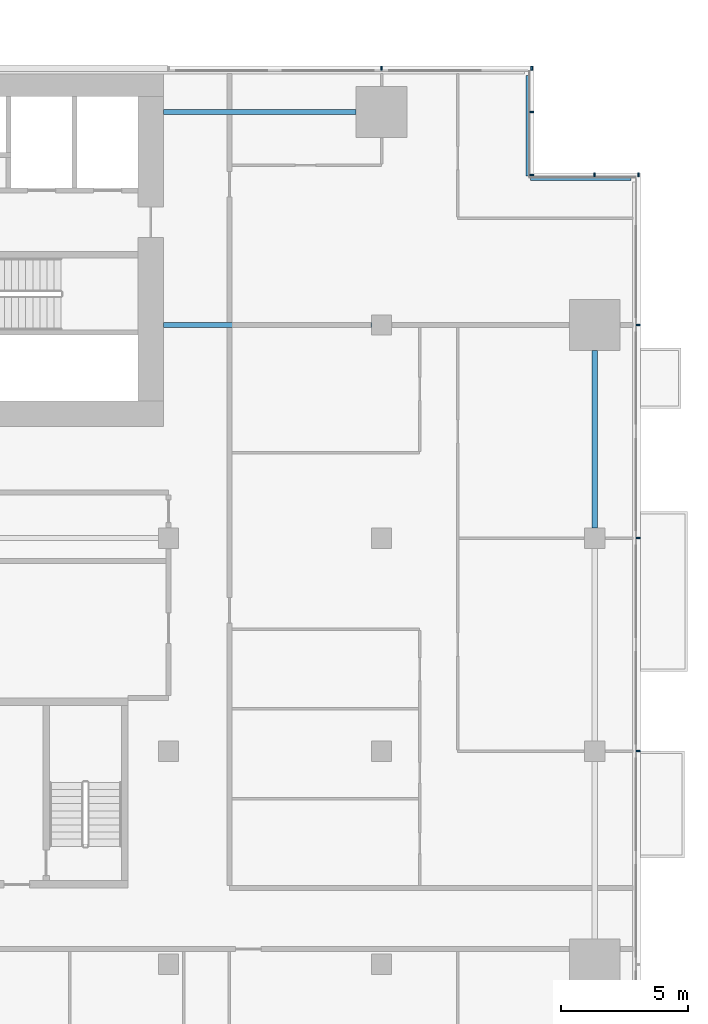
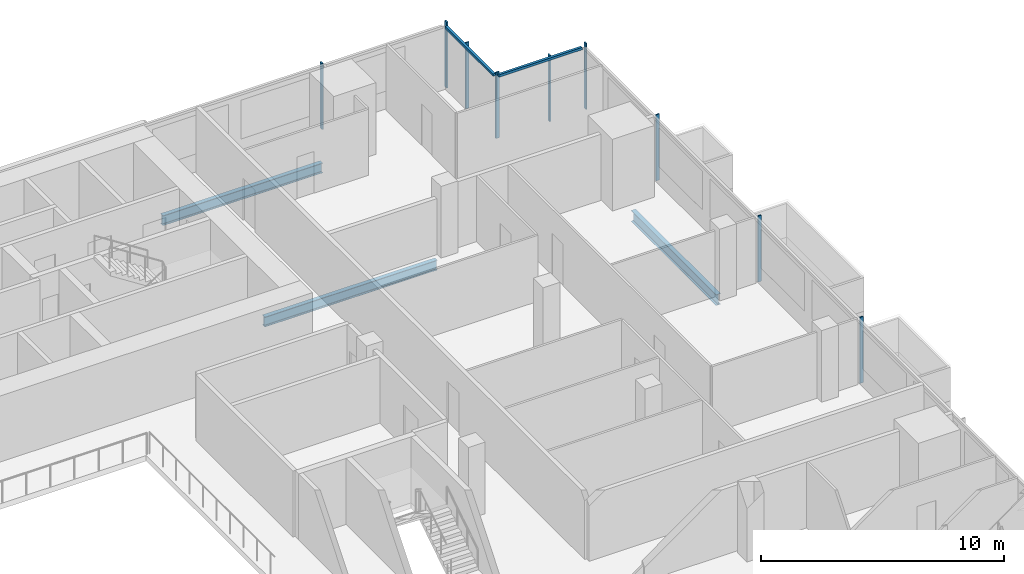
# One storey, part 13 of 29: 11 members, 3 beams, 4 elements without a shape of their own.
"""IFC4 building model written with IfcOpenShell, lengths in metres."""

from ifc_helpers import new_model, si_unit, direction, frame, origin, origin_2d, place, context, subcontext, project, spatial, rectangle, i_section, extrude, material, material_profile, profile_set, type_object, element, aggregate, save


model = new_model("IFC4")

# Units and contexts
model_context = context("Model", 3, precision=1e-05, world=origin(), true_north=direction((0.0, 1.0)))
body_context = subcontext(model_context, "Body", "Model", "MODEL_VIEW")
ifc_project = project(units=[si_unit("LENGTHUNIT", "METRE"), si_unit("AREAUNIT", "SQUARE_METRE"), si_unit("VOLUMEUNIT", "CUBIC_METRE"), si_unit("PLANEANGLEUNIT", "RADIAN"), si_unit("MASSUNIT", "GRAM", prefix="KILO")], contexts=[model_context])

# Site, building, storey
site_placement = place(None, origin())
site = spatial("IfcSite", under=ifc_project, at=site_placement, CompositionType="ELEMENT")
building_placement = place(site_placement, origin())
building = spatial("IfcBuilding", under=site, at=building_placement, Name="Saffron Gate Tower", CompositionType="ELEMENT")
storey_placement = place(building_placement, frame((0.0, 0.0, 106.050048828125)))
storey = spatial("IfcBuildingStorey", under=building, at=storey_placement, Name="L24", CompositionType="ELEMENT", Elevation=106.050048828125)

# Beams
ifc_material_1 = material(Name="Structural steel S355", Category="steel")
ifc_material_profile_1 = material_profile(ifc_material_1, i_section(OverallWidth=0.199951171875, OverallDepth=0.5, WebThickness=0.01025390625, FlangeThickness=0.01611328125, FilletRadius=0.02099609375, at=origin_2d()))
ifc_profile_set_1 = profile_set([ifc_material_profile_1], Name="Structural steel S355")
beam_type_1 = type_object("IfcBeamType", Name="B10 IPE 500", PredefinedType="BEAM", material=ifc_profile_set_1)
beam_1_placement = place(storey_placement, frame((116.60009765625, 65.39990234375, -0.530029296875), z_axis=(-1.0, 0.0, 0.0), x_axis=(0.0, -1.0, 0.0)))
element("IfcBeam", 1, at=beam_1_placement, inside=storey, type_object=beam_type_1, Name="B10 CORE TIE BEAM", PredefinedType="BEAM", context=body_context, shape_type="SweptSolid", body=[
    extrude(i_section(OverallWidth=0.199951171875, OverallDepth=0.5, WebThickness=0.01025390625, FlangeThickness=0.01611328125, FilletRadius=0.02099609375, at=origin_2d()), origin(), (0.0, 0.0, 1.0), 8.2001953125),
])
beam_2_placement = place(storey_placement, frame((116.0, 73.800048828125, -0.530029296875), z_axis=(-1.0, 0.0, 0.0), x_axis=(0.0, -1.0, 0.0)))
element("IfcBeam", 2, at=beam_2_placement, inside=storey, type_object=beam_type_1, Name="B10 CORE TIE BEAM", PredefinedType="BEAM", context=body_context, shape_type="SweptSolid", body=[
    extrude(i_section(OverallWidth=0.199951171875, OverallDepth=0.5, WebThickness=0.01025390625, FlangeThickness=0.01611328125, FilletRadius=0.02099609375, at=origin_2d()), origin(), (0.0, 0.0, 1.0), 7.60009765625),
])
ifc_material_profile_2 = material_profile(ifc_material_1, i_section(OverallWidth=0.2099609375, OverallDepth=0.550048828125, WebThickness=0.010986328125, FlangeThickness=0.01708984375, FilletRadius=0.02392578125, at=origin_2d()))
ifc_profile_set_2 = profile_set([ifc_material_profile_2], Name="Structural steel S355")
beam_type_2 = type_object("IfcBeamType", Name="B13 IPE 550", PredefinedType="SPANDREL", material=ifc_profile_set_2)
beam_3_placement = place(storey_placement, frame((125.39990234375, 57.39990234375, -0.554931640625), z_axis=(0.0, 1.0, 0.0), x_axis=(-1.0, 0.0, 0.0)))
element("IfcBeam", 3, at=beam_3_placement, inside=storey, type_object=beam_type_2, Name="B13 SPANDREL BEAM", PredefinedType="SPANDREL", context=body_context, shape_type="SweptSolid", body=[
    extrude(i_section(OverallWidth=0.2099609375, OverallDepth=0.550048828125, WebThickness=0.010986328125, FlangeThickness=0.01708984375, FilletRadius=0.02392578125, at=origin_2d()), origin(), (0.0, 0.0, 1.0), 7.0),
])

# Curtain wall, members
ifc_material_2 = material(Name="Aluminium, bronze anodised", Category="aluminium")
curtain_wall_type_1 = type_object("IfcCurtainWallType", Name="CWS2 curtain wall side facades", PredefinedType="NOTDEFINED", material=ifc_material_2)
curtain_wall_1_placement = place(storey_placement, origin())
curtain_wall_1 = element("IfcCurtainWall", 4, at=curtain_wall_1_placement, inside=storey, type_object=curtain_wall_type_1, Name="CWS2 run 4", PredefinedType="NOTDEFINED")
ifc_material_profile_3 = material_profile(ifc_material_2, rectangle(XDim=0.159912109375, YDim=0.06005859375, at=origin_2d()))
ifc_profile_set_3 = profile_set([ifc_material_profile_3], Name="Aluminium, bronze anodised")
member_type_1 = type_object("IfcMemberType", Name="CWS2 mullion 60x160", PredefinedType="MULLION", material=ifc_profile_set_3)
member_1_placement = place(storey_placement, frame((127.1201171875, 48.60009765625, 0.0), z_axis=(0.0, 0.0, 1.0), x_axis=(-1.0, 0.0, 0.0)))
member_1 = element("IfcMember", 5, at=member_1_placement, type_object=member_type_1, Name="CWS2 mullion 3", PredefinedType="MULLION", context=body_context, shape_type="SweptSolid", body=[
    extrude(rectangle(XDim=0.159912109375, YDim=0.06005859375, at=origin_2d()), origin(), (0.0, 0.0, 1.0), 3.320068359375),
])
member_2_placement = place(storey_placement, frame((127.1201171875, 57.0, 0.0), z_axis=(0.0, 0.0, 1.0), x_axis=(-1.0, 0.0, 0.0)))
member_2 = element("IfcMember", 6, at=member_2_placement, type_object=member_type_1, Name="CWS2 mullion 4", PredefinedType="MULLION", context=body_context, shape_type="SweptSolid", body=[
    extrude(rectangle(XDim=0.159912109375, YDim=0.06005859375, at=origin_2d()), origin(), (0.0, 0.0, 1.0), 3.320068359375),
])
member_3_placement = place(storey_placement, frame((127.1201171875, 65.39990234375, 0.0), z_axis=(0.0, 0.0, 1.0), x_axis=(-1.0, 0.0, 0.0)))
member_3 = element("IfcMember", 7, at=member_3_placement, type_object=member_type_1, Name="CWS2 mullion 5", PredefinedType="MULLION", context=body_context, shape_type="SweptSolid", body=[
    extrude(rectangle(XDim=0.159912109375, YDim=0.06005859375, at=origin_2d()), origin(), (0.0, 0.0, 1.0), 3.320068359375),
])
aggregate(curtain_wall_1, [member_1, member_2, member_3])

curtain_wall_type_2 = type_object("IfcCurtainWallType", Name="CWS3 curtain wall rear facade", PredefinedType="NOTDEFINED", material=ifc_material_2)
curtain_wall_2_placement = place(storey_placement, origin())
curtain_wall_2 = element("IfcCurtainWall", 8, at=curtain_wall_2_placement, inside=storey, type_object=curtain_wall_type_2, Name="CWS3 run 7", PredefinedType="NOTDEFINED")
ifc_material_profile_4 = material_profile(ifc_material_2, rectangle(XDim=0.159912109375, YDim=0.070068359375, at=origin_2d()))
ifc_profile_set_4 = profile_set([ifc_material_profile_4], Name="Aluminium, bronze anodised")
member_type_2 = type_object("IfcMemberType", Name="CWS3 mullion 70x160", PredefinedType="MULLION", material=ifc_profile_set_4)
member_4_placement = place(storey_placement, frame((122.919921875, 75.52001953125, 0.0), z_axis=(0.0, 0.0, 1.0), x_axis=(0.0, -1.0, 0.0)))
member_4 = element("IfcMember", 9, at=member_4_placement, type_object=member_type_2, Name="CWS3 mullion 1", PredefinedType="MULLION", context=body_context, shape_type="SweptSolid", body=[
    extrude(rectangle(XDim=0.159912109375, YDim=0.070068359375, at=origin_2d()), origin(), (0.0, 0.0, 1.0), 3.320068359375),
])
member_5_placement = place(storey_placement, frame((117.0, 75.52001953125, 0.0), z_axis=(0.0, 0.0, 1.0), x_axis=(0.0, -1.0, 0.0)))
member_5 = element("IfcMember", 10, at=member_5_placement, type_object=member_type_2, Name="CWS3 mullion 2", PredefinedType="MULLION", context=body_context, shape_type="SweptSolid", body=[
    extrude(rectangle(XDim=0.159912109375, YDim=0.070068359375, at=origin_2d()), origin(), (0.0, 0.0, 1.0), 3.320068359375),
])
aggregate(curtain_wall_2, [member_4, member_5])

# Curtain wall, member
curtain_wall_type_3 = type_object("IfcCurtainWallType", Name="CWS4 curtain wall corner returns", PredefinedType="NOTDEFINED", material=ifc_material_2)
curtain_wall_3_placement = place(storey_placement, origin())
curtain_wall_3 = element("IfcCurtainWall", 11, at=curtain_wall_3_placement, inside=storey, type_object=curtain_wall_type_3, Name="CWS4 run 5", PredefinedType="NOTDEFINED")
ifc_material_profile_5 = material_profile(ifc_material_2, rectangle(XDim=0.1201171875, YDim=0.1201171875, at=origin_2d()))
ifc_profile_set_5 = profile_set([ifc_material_profile_5], Name="Aluminium, bronze anodised")
member_type_3 = type_object("IfcMemberType", Name="CWS4 head transom", PredefinedType="USERDEFINED", material=ifc_profile_set_5)
member_6_placement = place(storey_placement, frame((126.83203125, 71.152099609375, 3.260009765625), z_axis=(-1.0, 0.0, 0.0), x_axis=(0.0, -1.0, 0.0)))
member_6 = element("IfcMember", 12, at=member_6_placement, type_object=member_type_3, Name="CWS4 head transom", ObjectType="TRANSOM", PredefinedType="USERDEFINED", context=body_context, shape_type="SweptSolid", body=[
    extrude(rectangle(XDim=0.1201171875, YDim=0.1201171875, at=origin_2d()), origin(), (0.0, 0.0, 1.0), 3.9599609375),
])

curtain_wall_4_placement = place(storey_placement, origin())
curtain_wall_4 = element("IfcCurtainWall", 13, at=curtain_wall_4_placement, inside=storey, type_object=curtain_wall_type_3, Name="CWS4 run 6", PredefinedType="NOTDEFINED")
member_7_placement = place(storey_placement, frame((122.751953125, 71.27197265625, 3.260009765625), z_axis=(0.0, 1.0, 0.0), x_axis=(-1.0, 0.0, 0.0)))
member_7 = element("IfcMember", 14, at=member_7_placement, type_object=member_type_3, Name="CWS4 head transom", ObjectType="TRANSOM", PredefinedType="USERDEFINED", context=body_context, shape_type="SweptSolid", body=[
    extrude(rectangle(XDim=0.1201171875, YDim=0.1201171875, at=origin_2d()), origin(), (0.0, 0.0, 1.0), 3.9599609375),
])

# Member
ifc_material_profile_6 = material_profile(ifc_material_2, rectangle(XDim=0.159912109375, YDim=0.06005859375, at=origin_2d()))
ifc_profile_set_6 = profile_set([ifc_material_profile_6], Name="Aluminium, bronze anodised")
member_type_4 = type_object("IfcMemberType", Name="CWS4 mullion 60x160", PredefinedType="MULLION", material=ifc_profile_set_6)
member_8_placement = place(storey_placement, frame((127.1201171875, 71.320068359375, 0.0), z_axis=(0.0, 0.0, 1.0), x_axis=(0.0, -1.0, 0.0)))
member_8 = element("IfcMember", 15, at=member_8_placement, type_object=member_type_4, Name="CWS4 mullion 1", PredefinedType="MULLION", context=body_context, shape_type="SweptSolid", body=[
    extrude(rectangle(XDim=0.159912109375, YDim=0.06005859375, at=origin_2d()), origin(), (0.0, 0.0, 1.0), 3.320068359375),
])

member_9_placement = place(storey_placement, frame((125.39990234375, 71.320068359375, 0.0), z_axis=(0.0, 0.0, 1.0), x_axis=(0.0, -1.0, 0.0)))
member_9 = element("IfcMember", 16, at=member_9_placement, type_object=member_type_4, Name="CWS4 mullion 2", PredefinedType="MULLION", context=body_context, shape_type="SweptSolid", body=[
    extrude(rectangle(XDim=0.159912109375, YDim=0.06005859375, at=origin_2d()), origin(), (0.0, 0.0, 1.0), 3.320068359375),
])

aggregate(curtain_wall_3, [member_8, member_9, member_6])

member_10_placement = place(storey_placement, frame((122.919921875, 71.320068359375, 0.0), z_axis=(0.0, 0.0, 1.0), x_axis=(-1.0, 0.0, 0.0)))
member_10 = element("IfcMember", 17, at=member_10_placement, type_object=member_type_4, Name="CWS4 mullion 1", PredefinedType="MULLION", context=body_context, shape_type="SweptSolid", body=[
    extrude(rectangle(XDim=0.159912109375, YDim=0.06005859375, at=origin_2d()), origin(), (0.0, 0.0, 1.0), 3.320068359375),
])

member_11_placement = place(storey_placement, frame((122.919921875, 73.800048828125, 0.0), z_axis=(0.0, 0.0, 1.0), x_axis=(-1.0, 0.0, 0.0)))
member_11 = element("IfcMember", 18, at=member_11_placement, type_object=member_type_4, Name="CWS4 mullion 2", PredefinedType="MULLION", context=body_context, shape_type="SweptSolid", body=[
    extrude(rectangle(XDim=0.159912109375, YDim=0.06005859375, at=origin_2d()), origin(), (0.0, 0.0, 1.0), 3.320068359375),
])

aggregate(curtain_wall_4, [member_10, member_11, member_7])

save(model, "model.ifc")
